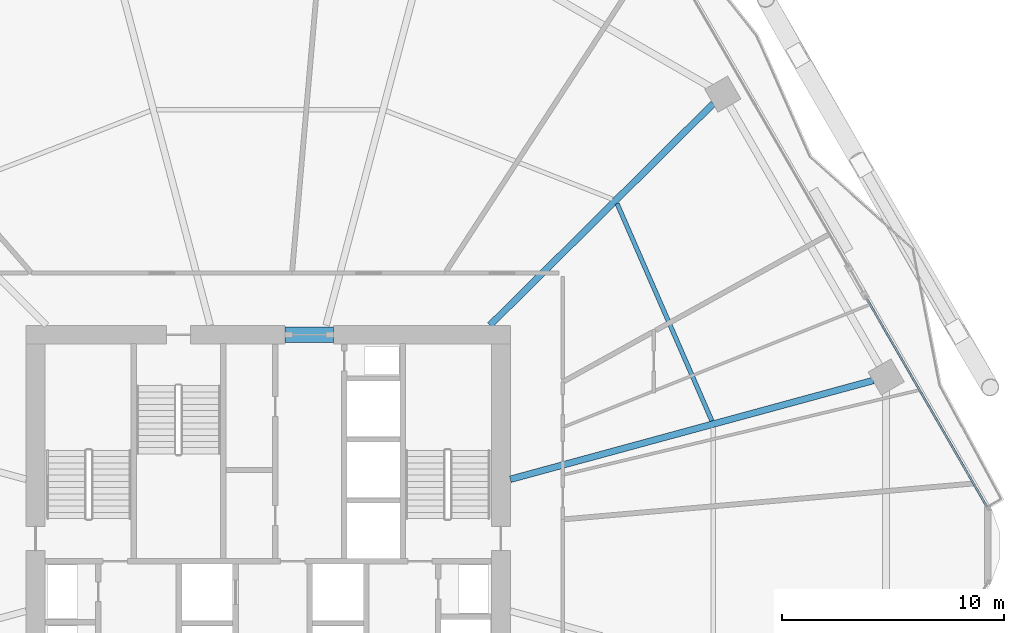
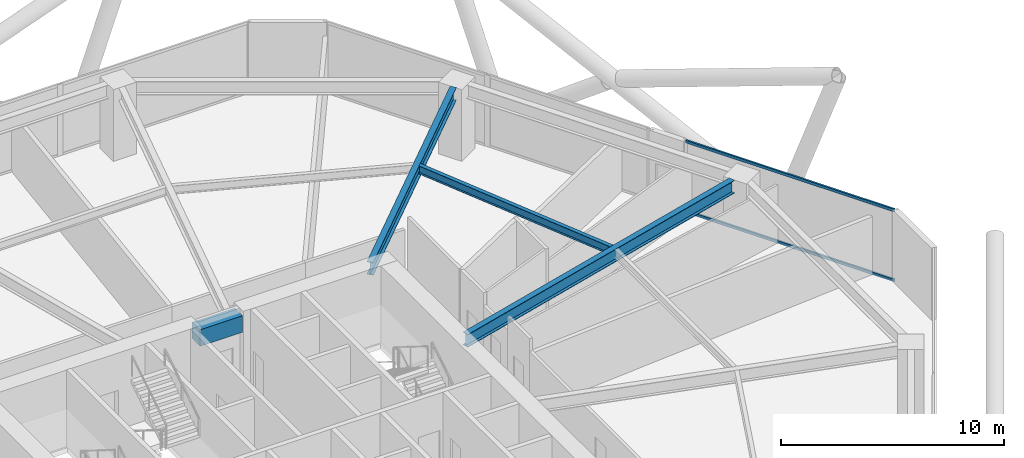
# One storey, part 18 of 30: 4 beams, 2 members, 1 element without a shape of its own.
"""IFC4 building model written with IfcOpenShell, lengths in metres."""

from ifc_helpers import new_model, si_unit, direction, frame, origin, origin_2d, place, context, subcontext, project, spatial, rectangle, hollow_rectangle, i_section, extrude, material, material_profile, profile_set, type_object, element, aggregate, save


model = new_model("IFC4")

# Units and contexts
model_context = context("Model", 3, precision=1e-05, world=origin(), true_north=direction((0.0, 1.0)))
body_context = subcontext(model_context, "Body", "Model", "MODEL_VIEW")
ifc_project = project(units=[si_unit("LENGTHUNIT", "METRE"), si_unit("AREAUNIT", "SQUARE_METRE"), si_unit("VOLUMEUNIT", "CUBIC_METRE"), si_unit("PLANEANGLEUNIT", "RADIAN"), si_unit("MASSUNIT", "GRAM", prefix="KILO")], contexts=[model_context])

# Site, building, storey
site_placement = place(None, origin())
site = spatial("IfcSite", under=ifc_project, at=site_placement, CompositionType="ELEMENT")
building_placement = place(site_placement, origin())
building = spatial("IfcBuilding", under=site, at=building_placement, Name="Zuhravey Tower", CompositionType="ELEMENT")
storey_placement = place(building_placement, frame((0.0, 0.0, 16.199951171875)))
storey = spatial("IfcBuildingStorey", under=building, at=storey_placement, Name="L04", CompositionType="ELEMENT", Elevation=16.199951171875)

# Beam
ifc_material_1 = material(Name="Concrete C60/75", Category="concrete")
ifc_material_profile_1 = material_profile(ifc_material_1, rectangle(XDim=0.699951171875, YDim=0.89990234375, at=origin_2d()), Name="RC-700x900")
ifc_profile_set_1 = profile_set([ifc_material_profile_1], Name="Concrete C60/75")
beam_type_1 = type_object("IfcBeamType", Name="Core Coupling Beam RC700x900", PredefinedType="LINTEL", material=ifc_profile_set_1)
beam_1_placement = place(storey_placement, frame((36.751953125, 41.5, 3.469970703125), z_axis=(1.0, 0.0, 0.0), x_axis=(0.0, 1.0, 0.0)))
element("IfcBeam", 1, at=beam_1_placement, inside=storey, type_object=beam_type_1, Name="L04 CB1 BM-L04-CB-N", PredefinedType="LINTEL", context=body_context, shape_type="SweptSolid", body=[
    extrude(rectangle(XDim=0.699951171875, YDim=0.89990234375, at=origin_2d()), origin(), (0.0, 0.0, 1.0), 2.196044921875),
])

# Curtain wall, members
ifc_material_2 = material(Name="Thermally broken anodised aluminium", Category="aluminium")
curtain_wall_type = type_object("IfcCurtainWallType", Name="School Low-E Unitised Curtain Wall CW1", PredefinedType="NOTDEFINED", material=ifc_material_2)
curtain_wall_placement = place(storey_placement, origin())
curtain_wall = element("IfcCurtainWall", 2, at=curtain_wall_placement, inside=storey, type_object=curtain_wall_type, Name="L04 CW1 CW-L04-F1-2", PredefinedType="NOTDEFINED")
ifc_material_3 = material(Name="Anodised aluminium", Category="aluminium")
ifc_material_profile_2 = material_profile(ifc_material_3, hollow_rectangle(XDim=0.090087890625, YDim=0.14990234375, WallThickness=0.0048828125, at=origin_2d()), Name="ALU-RHS-90x150x5")
ifc_profile_set_2 = profile_set([ifc_material_profile_2], Name="Anodised aluminium")
member_type = type_object("IfcMemberType", Name="Curtain-Wall Transom 90x150", PredefinedType="USERDEFINED", material=ifc_profile_set_2)
member_1_placement = place(storey_placement, frame((63.031494140625, 43.096923828125, 0.045166015625), z_axis=(0.500010648101, -0.866019256013, 0.0), x_axis=(0.866019256013, 0.500010648101, 0.0)))
member_1 = element("IfcMember", 3, at=member_1_placement, type_object=member_type, Name="CW1 transom 1.1", ObjectType="TRANSOM", PredefinedType="USERDEFINED", context=body_context, shape_type="SweptSolid", body=[
    extrude(hollow_rectangle(XDim=0.090087890625, YDim=0.14990234375, WallThickness=0.0048828125, at=origin_2d()), origin(), (0.0, 0.0, 1.0), 10.803955078125),
])
member_2_placement = place(storey_placement, frame((63.031494140625, 43.096923828125, 3.875), z_axis=(0.500010648101, -0.866019256013, 0.0), x_axis=(0.866019256013, 0.500010648101, 0.0)))
member_2 = element("IfcMember", 4, at=member_2_placement, type_object=member_type, Name="CW1 transom 1.2", ObjectType="TRANSOM", PredefinedType="USERDEFINED", context=body_context, shape_type="SweptSolid", body=[
    extrude(hollow_rectangle(XDim=0.090087890625, YDim=0.14990234375, WallThickness=0.0048828125, at=origin_2d()), origin(), (0.0, 0.0, 1.0), 10.803955078125),
])
aggregate(curtain_wall, [member_1, member_2])

# Beams
ifc_material_4 = material(Name="Steel SM355", Category="steel")
ifc_material_profile_3 = material_profile(ifc_material_4, i_section(OverallWidth=0.300048828125, OverallDepth=0.699951171875, WebThickness=0.012939453125, FlangeThickness=0.02392578125, at=origin_2d()), Name="H-700x300x13x24")
ifc_profile_set_3 = profile_set([ifc_material_profile_3], Name="Steel SM355")
beam_type_2 = type_object("IfcBeamType", Name="Radial Primary Girder H700x300", PredefinedType="BEAM", material=ifc_profile_set_3)
beam_2_placement = place(storey_placement, frame((46.927978515625, 34.974609375, 3.570068359375), z_axis=(0.964892480455, 0.26264520015, 0.0), x_axis=(-0.26264520015, 0.964892480455, 0.0)))
element("IfcBeam", 5, at=beam_2_placement, inside=storey, type_object=beam_type_2, Name="L04 RG1 BM-L04-RAD-01", PredefinedType="BEAM", context=body_context, shape_type="SweptSolid", body=[
    extrude(i_section(OverallWidth=0.300048828125, OverallDepth=0.699951171875, WebThickness=0.012939453125, FlangeThickness=0.02392578125, at=origin_2d()), origin(), (0.0, 0.0, 1.0), 16.975341796875),
])
beam_3_placement = place(storey_placement, frame((46.007080078125, 41.927978515625, 3.570068359375), z_axis=(0.709902823282, 0.704299639, 0.0), x_axis=(-0.704299639, 0.709902823282, 0.0)))
element("IfcBeam", 6, at=beam_3_placement, inside=storey, type_object=beam_type_2, Name="L04 RG1 BM-L04-RAD-02", PredefinedType="BEAM", context=body_context, shape_type="SweptSolid", body=[
    extrude(i_section(OverallWidth=0.300048828125, OverallDepth=0.699951171875, WebThickness=0.012939453125, FlangeThickness=0.02392578125, at=origin_2d()), origin(), (0.0, 0.0, 1.0), 14.204345703125),
])
ifc_material_profile_4 = material_profile(ifc_material_4, i_section(OverallWidth=0.199951171875, OverallDepth=0.449951171875, WebThickness=0.009033203125, FlangeThickness=0.013916015625, at=origin_2d()), Name="H-450x200x9x14")
ifc_profile_set_4 = profile_set([ifc_material_profile_4], Name="Steel SM355")
beam_type_3 = type_object("IfcBeamType", Name="Secondary Floor Joist H450x200", PredefinedType="JOIST", material=ifc_profile_set_4)
beam_4_placement = place(storey_placement, frame((56.025390625, 37.60888671875, 3.695068359375), z_axis=(-0.399923551578, 0.916548500022, 0.0), x_axis=(-0.916548500022, -0.399923551578, 0.0)))
element("IfcBeam", 7, at=beam_4_placement, inside=storey, type_object=beam_type_3, Name="L04 SJ1 BM-L04-SJ-01-1", PredefinedType="JOIST", context=body_context, shape_type="SweptSolid", body=[
    extrude(i_section(OverallWidth=0.199951171875, OverallDepth=0.449951171875, WebThickness=0.009033203125, FlangeThickness=0.013916015625, at=origin_2d()), origin(), (0.0, 0.0, 1.0), 10.70263671875),
])

save(model, "model.ifc")
